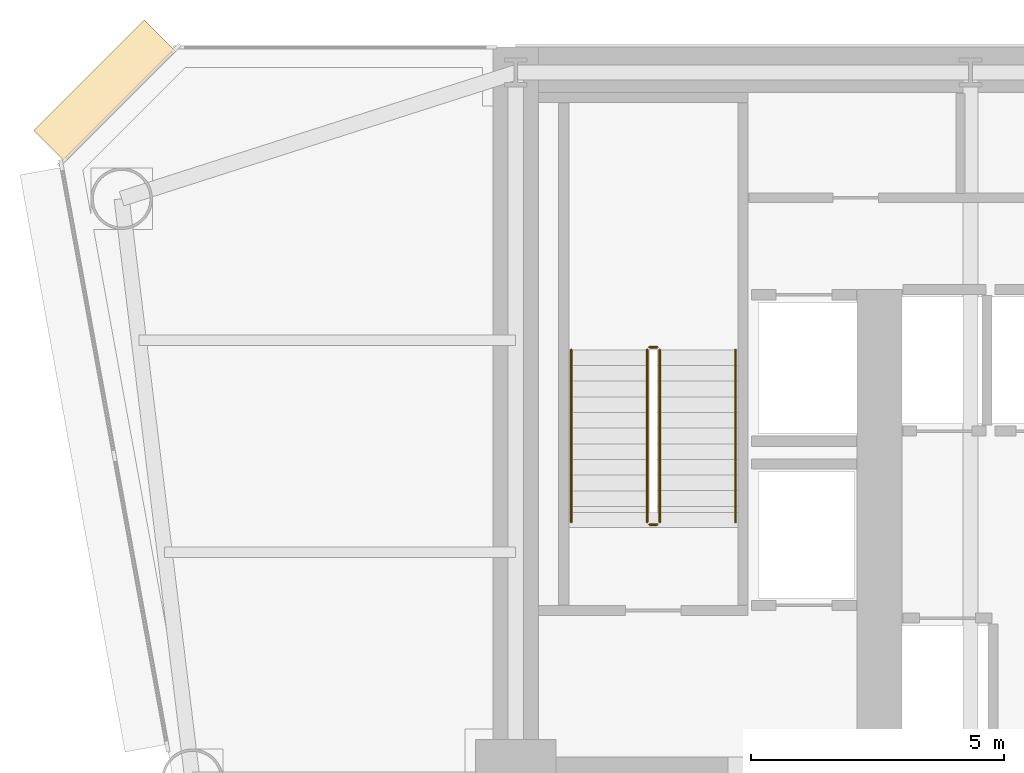
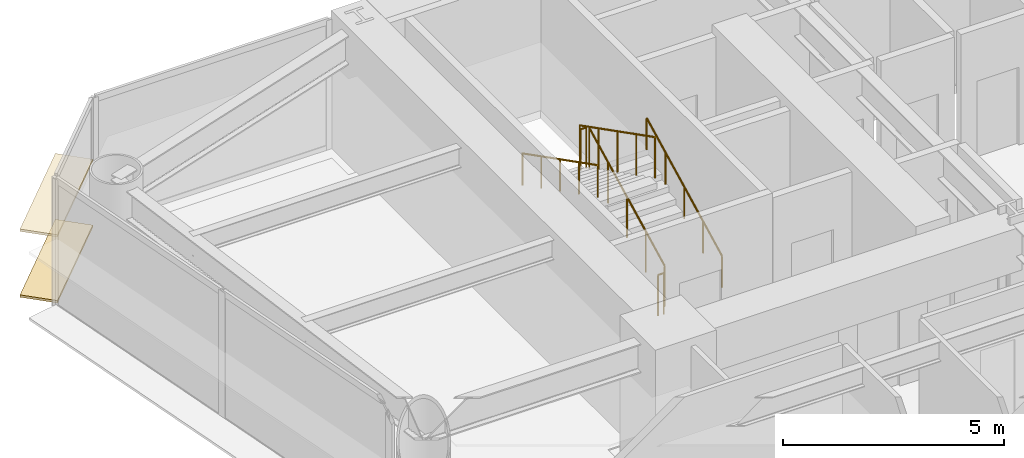
# One storey, part 12 of 14: 6 railings, 2 coverings.
"""IFC4 building model written with IfcOpenShell, lengths in metres."""

from ifc_helpers import new_model, si_unit, direction, frame, origin, origin_2d, place, context, subcontext, project, spatial, rectangle, circle, extrude, source, transform, mapped, material, layer, layer_set, type_object, element, save


model = new_model("IFC4")

# Units and contexts
model_context = context("Model", 3, precision=1e-05, world=origin(), true_north=direction((0.0, 1.0)))
body_context = subcontext(model_context, "Body", "Model", "MODEL_VIEW")
ifc_project = project(units=[si_unit("LENGTHUNIT", "METRE"), si_unit("AREAUNIT", "SQUARE_METRE"), si_unit("VOLUMEUNIT", "CUBIC_METRE"), si_unit("PLANEANGLEUNIT", "RADIAN"), si_unit("MASSUNIT", "GRAM", prefix="KILO")], contexts=[model_context])

# Site, building, storey
site_placement = place(None, origin())
site = spatial("IfcSite", under=ifc_project, at=site_placement, CompositionType="ELEMENT")
building_placement = place(site_placement, origin())
building = spatial("IfcBuilding", under=site, at=building_placement, Name="Vaeldorn Concourse Tower", CompositionType="ELEMENT")
storey_placement = place(building_placement, frame((0.0, 0.0, 49.199951171875)))
storey = spatial("IfcBuildingStorey", under=building, at=storey_placement, Name="L12", CompositionType="ELEMENT", Elevation=49.199951171875)

# Railings
ifc_material = material(Name="Anodised Bronze Aluminium", Category="aluminium")
railing_type_1 = type_object("IfcRailingType", Name="RL-STAIR-GUARD", PredefinedType="GUARDRAIL", material=ifc_material)
railing_1_placement = place(storey_placement, frame((16.85009765625, 41.60009765625, 0.158447265625)))
element("IfcRailing", 1, at=railing_1_placement, inside=storey, type_object=railing_type_1, Name="L12 ST-1 stair guard 1", PredefinedType="GUARDRAIL", context=body_context, shape_type="SweptSolid", body=[
    extrude(circle(Radius=0.02392578125, at=origin_2d()), frame((0.0, 0.0, 1.1259765625), z_axis=(0.0, 0.890555807335, 0.454873997962), x_axis=(-1.0, 0.0, 0.0)), (0.0, 0.0, 1.0), 3.828857421875),
    extrude(circle(Radius=0.02099609375, at=origin_2d()), origin(), (0.0, 0.0, 1.0), 1.101806640625),
    extrude(circle(Radius=0.02099609375, at=origin_2d()), frame((0.0, 0.8525390625, 0.435546875)), (0.0, 0.0, 1.0), 1.101806640625),
    extrude(circle(Radius=0.02099609375, at=origin_2d()), frame((0.0, 1.705078125, 0.870849609375)), (0.0, 0.0, 1.0), 1.101806640625),
    extrude(circle(Radius=0.02099609375, at=origin_2d()), frame((0.0, 2.557373046875, 1.30615234375)), (0.0, 0.0, 1.0), 1.101806640625),
    extrude(circle(Radius=0.02099609375, at=origin_2d()), frame((0.0, 3.409912109375, 1.74169921875)), (0.0, 0.0, 1.0), 1.101806640625),
])
railing_2_placement = place(storey_placement, frame((16.800048828125, 45.06005859375, 1.900146484375)))
element("IfcRailing", 2, at=railing_2_placement, inside=storey, type_object=railing_type_1, Name="L12 ST-1 stair guard 2", PredefinedType="GUARDRAIL", context=body_context, shape_type="SweptSolid", body=[
    extrude(circle(Radius=0.02392578125, at=origin_2d()), frame((0.0, 0.0, 1.1259765625), z_axis=(-1.0, 0.0, 0.0), x_axis=(0.0, -1.0, 0.0)), (0.0, 0.0, 1.0), 0.150146484375),
    extrude(circle(Radius=0.02099609375, at=origin_2d()), origin(), (0.0, 0.0, 1.0), 1.101806640625),
    extrude(circle(Radius=0.02099609375, at=origin_2d()), frame((-0.150146484375, 0.0, 0.0)), (0.0, 0.0, 1.0), 1.101806640625),
])
railing_3_placement = place(storey_placement, frame((16.60009765625, 45.010009765625, 2.058349609375)))
element("IfcRailing", 3, at=railing_3_placement, inside=storey, type_object=railing_type_1, Name="L12 ST-1 stair guard 3", PredefinedType="GUARDRAIL", context=body_context, shape_type="SweptSolid", body=[
    extrude(circle(Radius=0.02392578125, at=origin_2d()), frame((0.0, 0.0, 1.1259765625), z_axis=(0.0, -0.890555807335, 0.454873997962), x_axis=(1.0, 0.0, 0.0)), (0.0, 0.0, 1.0), 3.828857421875),
    extrude(circle(Radius=0.02099609375, at=origin_2d()), origin(), (0.0, 0.0, 1.0), 1.101806640625),
    extrude(circle(Radius=0.02099609375, at=origin_2d()), frame((0.0, -0.8525390625, 0.435546875)), (0.0, 0.0, 1.0), 1.101806640625),
    extrude(circle(Radius=0.02099609375, at=origin_2d()), frame((0.0, -1.705078125, 0.870849609375)), (0.0, 0.0, 1.0), 1.101806640625),
    extrude(circle(Radius=0.02099609375, at=origin_2d()), frame((0.0, -2.557373046875, 1.30615234375)), (0.0, 0.0, 1.0), 1.101806640625),
    extrude(circle(Radius=0.02099609375, at=origin_2d()), frame((0.0, -3.409912109375, 1.74169921875)), (0.0, 0.0, 1.0), 1.101806640625),
])
railing_4_placement = place(storey_placement, frame((16.800048828125, 41.550048828125, 0.0)))
element("IfcRailing", 4, at=railing_4_placement, inside=storey, type_object=railing_type_1, Name="L12 ST-1 stair guard 4", PredefinedType="GUARDRAIL", context=body_context, shape_type="SweptSolid", body=[
    extrude(circle(Radius=0.02392578125, at=origin_2d()), frame((0.0, 0.0, 1.1259765625), z_axis=(-1.0, 0.0, 0.0), x_axis=(0.0, -1.0, 0.0)), (0.0, 0.0, 1.0), 0.150146484375),
    extrude(circle(Radius=0.02099609375, at=origin_2d()), origin(), (0.0, 0.0, 1.0), 1.101806640625),
    extrude(circle(Radius=0.02099609375, at=origin_2d()), frame((-0.150146484375, 0.0, 0.0)), (0.0, 0.0, 1.0), 1.101806640625),
])
railing_type_2 = type_object("IfcRailingType", Name="RL-STAIR-HANDRAIL", PredefinedType="HANDRAIL", material=ifc_material)
railing_5_placement = place(storey_placement, frame((18.35009765625, 41.60009765625, 0.158447265625)))
element("IfcRailing", 5, at=railing_5_placement, inside=storey, type_object=railing_type_2, Name="L12 ST-1 stair handrail 1", PredefinedType="HANDRAIL", context=body_context, shape_type="SweptSolid", body=[
    extrude(circle(Radius=0.02392578125, at=origin_2d()), frame((0.0, 0.0, 0.8759765625), z_axis=(0.0, 0.890555807335, 0.454873997962), x_axis=(-1.0, 0.0, 0.0)), (0.0, 0.0, 1.0), 3.828857421875),
    extrude(circle(Radius=0.02099609375, at=origin_2d()), origin(), (0.0, 0.0, 1.0), 0.851806640625),
    extrude(circle(Radius=0.02099609375, at=origin_2d()), frame((0.0, 0.8525390625, 0.435546875)), (0.0, 0.0, 1.0), 0.851806640625),
    extrude(circle(Radius=0.02099609375, at=origin_2d()), frame((0.0, 1.705078125, 0.870849609375)), (0.0, 0.0, 1.0), 0.851806640625),
    extrude(circle(Radius=0.02099609375, at=origin_2d()), frame((0.0, 2.557373046875, 1.30615234375)), (0.0, 0.0, 1.0), 0.851806640625),
    extrude(circle(Radius=0.02099609375, at=origin_2d()), frame((0.0, 3.409912109375, 1.74169921875)), (0.0, 0.0, 1.0), 0.851806640625),
])
railing_6_placement = place(storey_placement, frame((15.10009765625, 45.010009765625, 2.058349609375)))
element("IfcRailing", 6, at=railing_6_placement, inside=storey, type_object=railing_type_2, Name="L12 ST-1 stair handrail 2", PredefinedType="HANDRAIL", context=body_context, shape_type="SweptSolid", body=[
    extrude(circle(Radius=0.02392578125, at=origin_2d()), frame((0.0, 0.0, 0.8759765625), z_axis=(0.0, -0.890555807335, 0.454873997962), x_axis=(1.0, 0.0, 0.0)), (0.0, 0.0, 1.0), 3.828857421875),
    extrude(circle(Radius=0.02099609375, at=origin_2d()), origin(), (0.0, 0.0, 1.0), 0.851806640625),
    extrude(circle(Radius=0.02099609375, at=origin_2d()), frame((0.0, -0.8525390625, 0.435546875)), (0.0, 0.0, 1.0), 0.851806640625),
    extrude(circle(Radius=0.02099609375, at=origin_2d()), frame((0.0, -1.705078125, 0.870849609375)), (0.0, 0.0, 1.0), 0.851806640625),
    extrude(circle(Radius=0.02099609375, at=origin_2d()), frame((0.0, -2.557373046875, 1.30615234375)), (0.0, 0.0, 1.0), 0.851806640625),
    extrude(circle(Radius=0.02099609375, at=origin_2d()), frame((0.0, -3.409912109375, 1.74169921875)), (0.0, 0.0, 1.0), 0.851806640625),
])

# Coverings
ifc_layer = layer(ifc_material, 0.06494140625)
ifc_layer_set = layer_set([ifc_layer], Name="Anodised Bronze Aluminium")
covering_type = type_object("IfcCoveringType", Name="SD-BRONZE-SUNSHADE", PredefinedType="USERDEFINED", material=ifc_layer_set)
shared_shape = source(origin(), body_context, "Body", "SweptSolid", [
    extrude(rectangle(XDim=3.0927734375, YDim=0.8798828125, at=origin_2d()), origin(), (0.0, 0.0, 1.0), 0.06494140625),
])
for number, where, z_axis, x_axis, name in (
    (7, (5.8671875, 50.1328125, 0.047607421875), (0.0, 0.0, 1.0), (-0.707106781187, -0.707106781187, 0.0), "Horizontal Bronze Sunshade L12-E10.1.1"),
    (8, (5.8671875, 50.1328125, 1.86767578125), (0.0, 0.0, 1.0), (-0.707106781187, -0.707106781187, 0.0), "Horizontal Bronze Sunshade L12-E10.1.2"),
):
    element("IfcCovering", number, at=place(storey_placement, frame(where, z_axis=z_axis, x_axis=x_axis)), inside=storey, type_object=covering_type, Name=name, ObjectType="SUNSHADE", PredefinedType="USERDEFINED", context=body_context, shape_type="MappedRepresentation", body=[
        mapped(shared_shape, transform((0.0, 0.0, 0.0), scale=1.0)),
    ])

save(model, "model.ifc")
